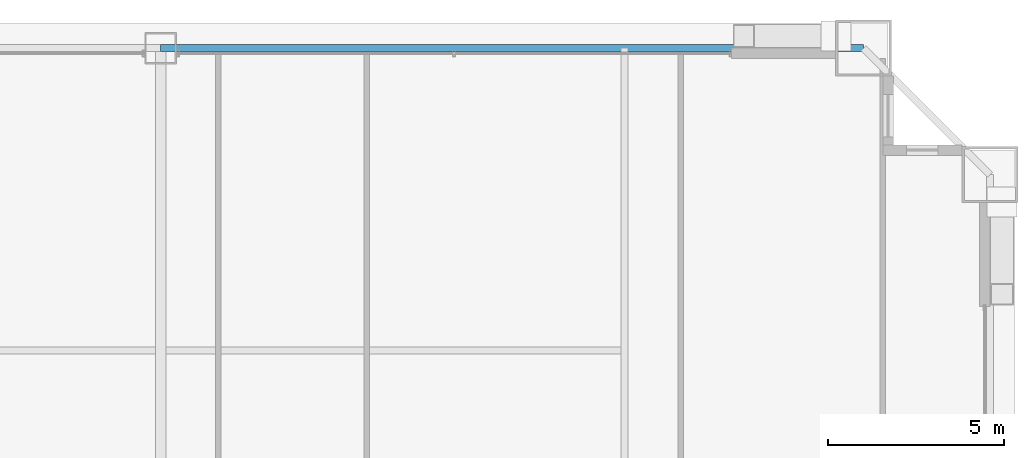
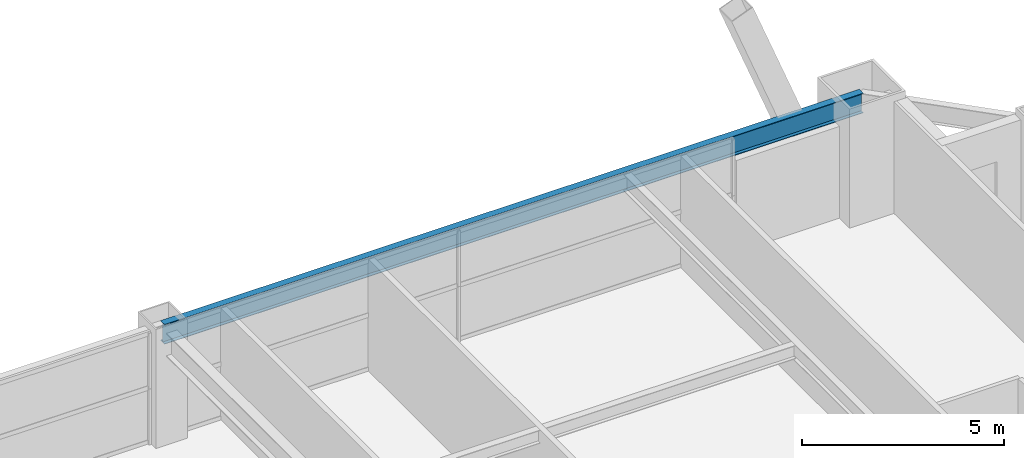
# One storey, part 35 of 42: 1 beam.
"""IFC4 building model written with IfcOpenShell, lengths in metres."""

from ifc_helpers import new_model, si_unit, direction, frame, origin, origin_2d, place, context, subcontext, project, spatial, i_section, extrude, source, transform, mapped, material, material_profile, profile_set, type_object, element, save


model = new_model("IFC4")

# Units and contexts
model_context = context("Model", 3, precision=1e-05, world=origin(), true_north=direction((0.0, 1.0)))
body_context = subcontext(model_context, "Body", "Model", "MODEL_VIEW")
ifc_project = project(units=[si_unit("LENGTHUNIT", "METRE"), si_unit("AREAUNIT", "SQUARE_METRE"), si_unit("VOLUMEUNIT", "CUBIC_METRE"), si_unit("PLANEANGLEUNIT", "RADIAN"), si_unit("MASSUNIT", "GRAM", prefix="KILO"), si_unit("THERMODYNAMICTEMPERATUREUNIT", "KELVIN"), si_unit("POWERUNIT", "WATT")], contexts=[model_context])

# Site, building, storey
site_placement = place(None, origin())
site = spatial("IfcSite", under=ifc_project, at=site_placement, CompositionType="ELEMENT")
building_placement = place(site_placement, origin())
building = spatial("IfcBuilding", under=site, at=building_placement, Name="Yuzanri Waterfront Tower", CompositionType="ELEMENT")
storey_placement = place(building_placement, frame((0.0, 0.0, 145.199951171875)))
storey = spatial("IfcBuildingStorey", under=building, at=storey_placement, Name="L38", CompositionType="ELEMENT", Elevation=145.199951171875)

# Beam
ifc_material = material(Name="Steel Q355B", Category="steel")
ifc_material_profile = material_profile(ifc_material, i_section(OverallWidth=0.199951171875, OverallDepth=0.60009765625, WebThickness=0.010986328125, FlangeThickness=0.01708984375, at=origin_2d()), Name="HN 600x200x11x17")
ifc_profile_set = profile_set([ifc_material_profile], Name="Steel Q355B")
beam_type = type_object("IfcBeamType", Name="Perimeter Spandrel Q355B HN 600x200", PredefinedType="SPANDREL", material=ifc_profile_set)
shared_shape = source(origin(), body_context, "Body", "SweptSolid", [
    extrude(i_section(OverallWidth=0.199951171875, OverallDepth=0.60009765625, WebThickness=0.010986328125, FlangeThickness=0.01708984375, at=origin_2d()), origin(), (0.0, 0.0, 1.0), 20.0),
])
beam_placement = place(storey_placement, frame((57.0, 49.39990234375, 3.080078125), z_axis=(-1.0, 0.0, 0.0), x_axis=(0.0, -1.0, 0.0)))
element("IfcBeam", 1, at=beam_placement, inside=storey, type_object=beam_type, Name="L38 Perimeter Spandrel N3-N2", PredefinedType="SPANDREL", context=body_context, shape_type="MappedRepresentation", body=[
    mapped(shared_shape, transform((0.0, 0.0, 0.0), scale=1.0)),
])

save(model, "model.ifc")
